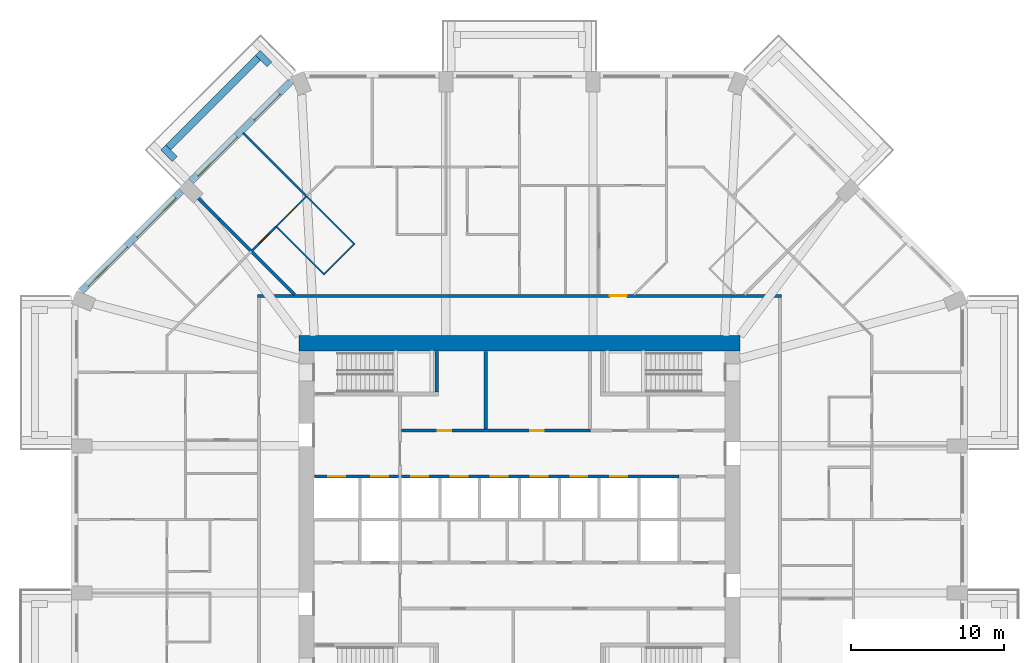
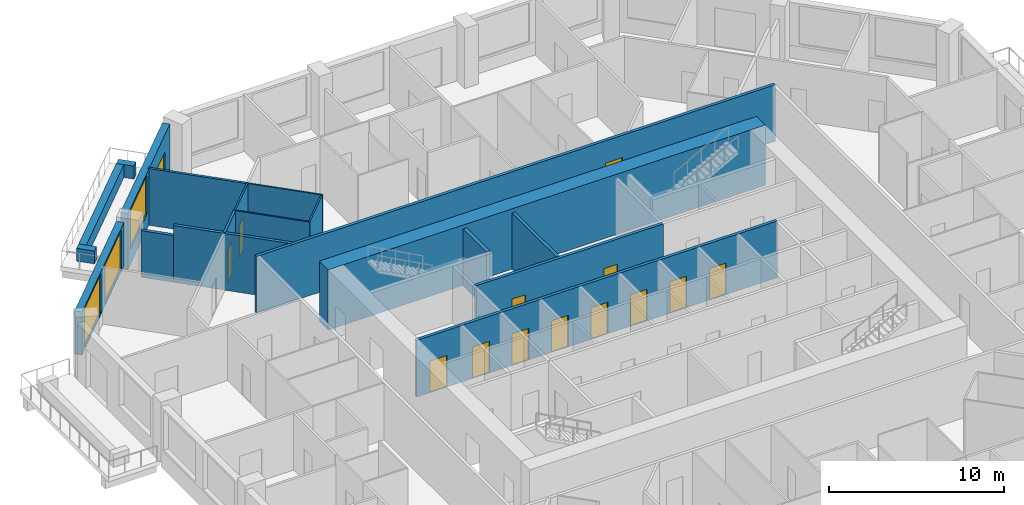
# One storey, part 8 of 13: 19 walls, 14 doors, 3 windows, 17 openings.
"""IFC4 building model written with IfcOpenShell, lengths in metres."""

from ifc_helpers import new_model, si_unit, direction, frame, frame_2d, origin, place, context, subcontext, project, spatial, rectangle, extrude, material, layer, layer_set, type_object, element, fill, save


model = new_model("IFC4")

# Units and contexts
model_context = context("Model", 3, precision=1e-05, world=origin(), true_north=direction((0.0, 1.0)))
body_context = subcontext(model_context, "Body", "Model", "MODEL_VIEW")
ifc_project = project(units=[si_unit("LENGTHUNIT", "METRE"), si_unit("AREAUNIT", "SQUARE_METRE"), si_unit("VOLUMEUNIT", "CUBIC_METRE"), si_unit("PLANEANGLEUNIT", "RADIAN"), si_unit("MASSUNIT", "GRAM", prefix="KILO")], contexts=[model_context])

# Site, building, storey
site_placement = place(None, origin())
site = spatial("IfcSite", under=ifc_project, at=site_placement, CompositionType="ELEMENT")
building_placement = place(site_placement, origin())
building = spatial("IfcBuilding", under=site, at=building_placement, Name="Msitu Wima Residences", CompositionType="ELEMENT")
storey_placement = place(building_placement, frame((0.0, 0.0, 25.5)))
storey = spatial("IfcBuildingStorey", under=building, at=storey_placement, Name="L05", CompositionType="ELEMENT", Elevation=25.5)

# Walls
ifc_material_1 = material(Name="Facing brick")
ifc_layer_1 = layer(ifc_material_1, 0.06494140625, Name="Facing brick")
ifc_material_2 = material(Name="Concrete C40/50", Category="concrete")
ifc_layer_2 = layer(ifc_material_2, 0.156005859375, Name="Concrete C40/50")
ifc_material_3 = material(Name="Waterproofing membrane")
ifc_layer_3 = layer(ifc_material_3, 0.00390625, Name="Waterproofing membrane")
ifc_material_4 = material(Name="Planting soil and planting")
ifc_layer_4 = layer(ifc_material_4, 0.22509765625, Name="Planting soil and planting")
ifc_layer_set_1 = layer_set([ifc_layer_1, ifc_layer_2, ifc_layer_3, ifc_layer_4], Name="Concrete C40/50")
wall_type_1 = type_object("IfcWallType", Name="Balcony planter PLANTER PL450", PredefinedType="USERDEFINED", material=ifc_layer_set_1)
wall_1_placement = place(storey_placement, frame((-17.0693359375, 30.125732421875, 0.0), z_axis=(0.0, 0.0, 1.0), x_axis=(-0.707106781187, -0.707106781187, 0.0)))
element("IfcWall", 1, at=wall_1_placement, inside=storey, type_object=wall_type_1, Name="Balcony planter NW0 L05", ObjectType="PLANTER", PredefinedType="USERDEFINED", context=body_context, shape_type="SweptSolid", body=[
    extrude(rectangle(XDim=8.2822265625, YDim=0.449951171875, at=frame_2d((4.14111328125, 0.0))), origin(), (0.0, 0.0, 1.0), 0.89990234375),
])
for number, where, z_axis, x_axis, name in (
    (2, (-16.326904296875, 29.70166015625, 0.0), (0.0, 0.0, 1.0), (-0.707106781187, 0.707106781187, 0.0), "Balcony planter NW0 L05"),
    (3, (-22.50146484375, 23.52685546875, 0.0), (0.0, 0.0, 1.0), (-0.707223014731, 0.706990528533, 0.0), "Balcony planter NW0 L05"),
):
    element("IfcWall", number, at=place(storey_placement, frame(where, z_axis=z_axis, x_axis=x_axis)), inside=storey, type_object=wall_type_1, Name=name, ObjectType="PLANTER", PredefinedType="USERDEFINED", context=body_context, shape_type="SweptSolid", body=[
        extrude(rectangle(XDim=1.050048828125, YDim=0.449951171875, at=frame_2d((0.52490234375, 0.0))), origin(), (0.0, 0.0, 1.0), 0.89990234375),
    ])

# Wall, openings, door, window
ifc_material_5 = material(Name="Brick (red buff mix)", Category="masonry")
ifc_layer_5 = layer(ifc_material_5, 0.449951171875)
ifc_layer_set_2 = layer_set([ifc_layer_5], Name="Brick (red buff mix)")
wall_type_2 = type_object("IfcWallType", Name="Brick infill wall BW450", PredefinedType="SOLIDWALL", material=ifc_layer_set_2)
wall_2_placement = place(storey_placement, frame((-14.903564453125, 28.61474609375, 0.0), z_axis=(0.0, 0.0, 1.0), x_axis=(-0.707106781187, -0.707106781187, 0.0)))
wall_2 = element("IfcWall", 4, at=wall_2_placement, inside=storey, type_object=wall_type_2, Name="Brick infill wall L05 NW0", PredefinedType="SOLIDWALL", context=body_context, shape_type="SweptSolid", body=[
    extrude(rectangle(XDim=9.2451171875, YDim=0.449951171875, at=frame_2d((4.62255859375, 0.0))), origin(), (0.0, 0.0, 1.0), 3.89990234375),
])
opening_1_placement = place(wall_2_placement, frame((1.111328125, 0.0, 0.0)))
opening_1 = element("IfcOpeningElement", 5, at=opening_1_placement, cuts=wall_2, Name="Opening D05-07.005", PredefinedType="OPENING", context=body_context, shape_type="SweptSolid", body=[
    extrude(rectangle(XDim=2.39990234375, YDim=2.699951171875, at=frame_2d((1.199951171875, 1.35009765625))), frame((0.0, 0.23486328125, 0.0), z_axis=(0.0, -1.0, 0.0), x_axis=(1.0, 0.0, 0.0)), (0.0, 0.0, 1.0), 0.469970703125),
])
opening_2_placement = place(wall_2_placement, frame((5.072509765625, 0.0, 1.050048828125)))
opening_2 = element("IfcOpeningElement", 6, at=opening_2_placement, cuts=wall_2, Name="Opening W05-07.013", PredefinedType="OPENING", context=body_context, shape_type="SweptSolid", body=[
    extrude(rectangle(XDim=3.60009765625, YDim=2.699951171875, at=frame_2d((1.800048828125, 1.35009765625))), frame((0.0, 0.23486328125, 0.0), z_axis=(0.0, -1.0, 0.0), x_axis=(1.0, 0.0, 0.0)), (0.0, 0.0, 1.0), 0.469970703125),
])
ifc_material_6 = material(Name="Anodised aluminium, bronze finish, clear low-emissivity double glazing", Category="aluminium")
door_type_1 = type_object("IfcDoorType", Name="Balcony door D2400x2700", OperationType="SLIDING_TO_LEFT", PredefinedType="DOOR", material=ifc_material_6)
door_1_placement = place(opening_1_placement, origin())
door_1 = element("IfcDoor", 7, at=door_1_placement, inside=storey, type_object=door_type_1, Name="Balcony door L05 NW0", OperationType="SINGLE_SWING_LEFT", OverallHeight=2.699951171875, OverallWidth=2.39990234375, PredefinedType="DOOR", context=body_context, shape_type="SweptSolid", body=[
    extrude(rectangle(XDim=2.39990234375, YDim=2.699951171875, at=frame_2d((1.199951171875, 1.35009765625))), frame((0.0, 0.1298828125, 0.0), z_axis=(0.0, -1.0, 0.0), x_axis=(1.0, 0.0, 0.0)), (0.0, 0.0, 1.0), 0.050048828125),
])
fill(opening_1, door_1)
window_type = type_object("IfcWindowType", Name="Window W3600x2700", PartitioningType="DOUBLE_PANEL_VERTICAL", PredefinedType="WINDOW", material=ifc_material_6)
window_1_placement = place(opening_2_placement, origin())
window_1 = element("IfcWindow", 8, at=window_1_placement, inside=storey, type_object=window_type, Name="Window L05 NW0.2", OverallHeight=2.699951171875, OverallWidth=3.60009765625, PartitioningType="SINGLE_PANEL", PredefinedType="WINDOW", context=body_context, shape_type="SweptSolid", body=[
    extrude(rectangle(XDim=3.60009765625, YDim=2.699951171875, at=frame_2d((1.800048828125, 1.35009765625))), frame((0.0, 0.135009765625, 0.0), z_axis=(0.0, -1.0, 0.0), x_axis=(1.0, 0.0, 0.0)), (0.0, 0.0, 1.0), 0.06005859375),
])
fill(opening_2, window_1)

# Wall, openings, windows
wall_3_placement = place(storey_placement, frame((-22.077392578125, 21.44091796875, 0.89990234375), z_axis=(0.0, 0.0, 1.0), x_axis=(-0.707106781187, -0.707106781187, 0.0)))
wall_3 = element("IfcWall", 9, at=wall_3_placement, inside=storey, type_object=wall_type_2, Name="Brick infill wall L05 NW1", PredefinedType="SOLIDWALL", context=body_context, shape_type="SweptSolid", body=[
    extrude(rectangle(XDim=9.2451171875, YDim=0.449951171875, at=frame_2d((4.62255859375, 0.0))), origin(), (0.0, 0.0, 1.0), 3.0),
])
opening_3_placement = place(wall_3_placement, frame((0.572509765625, 0.0, 0.14990234375)))
opening_3 = element("IfcOpeningElement", 10, at=opening_3_placement, cuts=wall_3, Name="Opening W05-07.014", PredefinedType="OPENING", context=body_context, shape_type="SweptSolid", body=[
    extrude(rectangle(XDim=3.60009765625, YDim=2.699951171875, at=frame_2d((1.800048828125, 1.35009765625))), frame((0.0, 0.23486328125, 0.0), z_axis=(0.0, -1.0, 0.0), x_axis=(1.0, 0.0, 0.0)), (0.0, 0.0, 1.0), 0.469970703125),
])
opening_4_placement = place(wall_3_placement, frame((5.072509765625, 0.0, 0.14990234375)))
opening_4 = element("IfcOpeningElement", 11, at=opening_4_placement, cuts=wall_3, Name="Opening W05-07.015", PredefinedType="OPENING", context=body_context, shape_type="SweptSolid", body=[
    extrude(rectangle(XDim=3.60009765625, YDim=2.699951171875, at=frame_2d((1.800048828125, 1.35009765625))), frame((0.0, 0.23486328125, 0.0), z_axis=(0.0, -1.0, 0.0), x_axis=(1.0, 0.0, 0.0)), (0.0, 0.0, 1.0), 0.469970703125),
])
window_2_placement = place(opening_3_placement, origin())
window_2 = element("IfcWindow", 12, at=window_2_placement, inside=storey, type_object=window_type, Name="Window L05 NW1.1", OverallHeight=2.699951171875, OverallWidth=3.60009765625, PartitioningType="SINGLE_PANEL", PredefinedType="WINDOW", context=body_context, shape_type="SweptSolid", body=[
    extrude(rectangle(XDim=3.60009765625, YDim=2.699951171875, at=frame_2d((1.800048828125, 1.35009765625))), frame((0.0, 0.135009765625, 0.0), z_axis=(0.0, -1.0, 0.0), x_axis=(1.0, 0.0, 0.0)), (0.0, 0.0, 1.0), 0.06005859375),
])
fill(opening_3, window_2)
window_3_placement = place(opening_4_placement, origin())
window_3 = element("IfcWindow", 13, at=window_3_placement, inside=storey, type_object=window_type, Name="Window L05 NW1.2", OverallHeight=2.699951171875, OverallWidth=3.60009765625, PartitioningType="SINGLE_PANEL", PredefinedType="WINDOW", context=body_context, shape_type="SweptSolid", body=[
    extrude(rectangle(XDim=3.60009765625, YDim=2.699951171875, at=frame_2d((1.800048828125, 1.35009765625))), frame((0.0, 0.135009765625, 0.0), z_axis=(0.0, -1.0, 0.0), x_axis=(1.0, 0.0, 0.0)), (0.0, 0.0, 1.0), 0.06005859375),
])
fill(opening_4, window_3)

# Wall
ifc_material_7 = material(Name="Concrete C80/95", Category="concrete")
ifc_layer_6 = layer(ifc_material_7, 1.0)
ifc_layer_set_3 = layer_set([ifc_layer_6], Name="Concrete C80/95")
wall_type_3 = type_object("IfcWallType", Name="Core wall CW1000 C80/95", PredefinedType="SHEAR", material=ifc_layer_set_3)
wall_4_placement = place(storey_placement, frame((-14.39990234375, 11.5, 0.0), z_axis=(0.0, 0.0, 1.0), x_axis=(1.0, 0.0, 0.0)))
element("IfcWall", 14, at=wall_4_placement, inside=storey, type_object=wall_type_3, Name="Core wall", PredefinedType="SHEAR", context=body_context, shape_type="SweptSolid", body=[
    extrude(rectangle(XDim=28.7998046875, YDim=1.0, at=frame_2d((14.39990234375, 0.0))), origin(), (0.0, 0.0, 1.0), 4.199951171875),
])

# Wall, opening, door
ifc_material_8 = material(Name="Plaster")
ifc_layer_7 = layer(ifc_material_8, 0.011962890625, Name="Plaster")
ifc_material_9 = material(Name="Concrete blockwork", Category="masonry")
ifc_layer_8 = layer(ifc_material_9, 0.176025390625, Name="Concrete blockwork")
ifc_layer_9 = layer(ifc_material_8, 0.011962890625, Name="Plaster")
ifc_layer_set_4 = layer_set([ifc_layer_7, ifc_layer_8, ifc_layer_9], Name="Concrete blockwork")
wall_type_4 = type_object("IfcWallType", Name="Corridor wall FW200", PredefinedType="PARTITIONING", material=ifc_layer_set_4)
wall_5_placement = place(storey_placement, frame((-17.10009765625, 14.60009765625, 0.0), z_axis=(0.0, 0.0, 1.0), x_axis=(1.0, 0.0, 0.0)))
wall_5 = element("IfcWall", 15, at=wall_5_placement, inside=storey, type_object=wall_type_4, Name="Corridor wall", PredefinedType="PARTITIONING", context=body_context, shape_type="SweptSolid", body=[
    extrude(rectangle(XDim=34.2001953125, YDim=0.199951171875, at=frame_2d((17.10009765625, 0.0))), origin(), (0.0, 0.0, 1.0), 3.949951171875),
])
opening_5_placement = place(wall_5_placement, frame((23.0, 0.0, 0.0)))
opening_5 = element("IfcOpeningElement", 16, at=opening_5_placement, cuts=wall_5, Name="Opening D05-07.012", PredefinedType="OPENING", context=body_context, shape_type="SweptSolid", body=[
    extrude(rectangle(XDim=1.10009765625, YDim=2.39990234375, at=frame_2d((0.550048828125, 1.199951171875))), frame((0.0, 0.10986328125, 0.0), z_axis=(0.0, -1.0, 0.0), x_axis=(1.0, 0.0, 0.0)), (0.0, 0.0, 1.0), 0.219970703125),
])
ifc_material_10 = material(Name="Timber flush door, fire resisting, self-closing", Category="wood")
door_type_2 = type_object("IfcDoorType", Name="Flat entrance door D01 1100x2400", OperationType="SINGLE_SWING_LEFT", PredefinedType="DOOR", material=ifc_material_10)
door_2_placement = place(opening_5_placement, origin())
door_2 = element("IfcDoor", 17, at=door_2_placement, inside=storey, type_object=door_type_2, Name="Flat entrance door", OperationType="SINGLE_SWING_RIGHT", OverallHeight=2.39990234375, OverallWidth=1.10009765625, PredefinedType="DOOR", context=body_context, shape_type="SweptSolid", body=[
    extrude(rectangle(XDim=1.10009765625, YDim=2.39990234375, at=frame_2d((0.550048828125, 1.199951171875))), frame((0.0, 0.02490234375, 0.0), z_axis=(0.0, -1.0, 0.0), x_axis=(1.0, 0.0, 0.0)), (0.0, 0.0, 1.0), 0.050048828125),
])
fill(opening_5, door_2)

# Wall
ifc_layer_10 = layer(ifc_material_8, 0.011962890625, Name="Plaster")
ifc_layer_11 = layer(ifc_material_9, 0.1259765625, Name="Concrete blockwork")
ifc_layer_12 = layer(ifc_material_8, 0.011962890625, Name="Plaster")
ifc_layer_set_5 = layer_set([ifc_layer_10, ifc_layer_11, ifc_layer_12], Name="Concrete blockwork")
wall_type_5 = type_object("IfcWallType", Name="Partition PW150", PredefinedType="PARTITIONING", material=ifc_layer_set_5)
wall_6_placement = place(storey_placement, frame((-18.038818359375, 25.23876953125, 0.0), z_axis=(0.0, 0.0, 1.0), x_axis=(0.707127559195, -0.707086002568, 0.0)))
element("IfcWall", 18, at=wall_6_placement, inside=storey, type_object=wall_type_5, Name="Partition", PredefinedType="PARTITIONING", context=body_context, shape_type="SweptSolid", body=[
    extrude(rectangle(XDim=5.875, YDim=0.14990234375, at=frame_2d((2.9375, 0.0))), origin(), (0.0, 0.0, 1.0), 3.949951171875),
])

# Wall, opening, door
wall_7_placement = place(storey_placement, frame((-17.498779296875, 17.498779296875, 0.0), z_axis=(0.0, 0.0, 1.0), x_axis=(0.707106781187, 0.707106781187, 0.0)))
wall_7 = element("IfcWall", 19, at=wall_7_placement, inside=storey, type_object=wall_type_5, Name="Partition", PredefinedType="PARTITIONING", context=body_context, shape_type="SweptSolid", body=[
    extrude(rectangle(XDim=2.271240234375, YDim=0.14990234375, at=frame_2d((1.1357421875, 0.0))), origin(), (0.0, 0.0, 1.0), 3.949951171875),
])
opening_6_placement = place(wall_7_placement, frame((0.699951171875, 0.0, 0.0)))
opening_6 = element("IfcOpeningElement", 20, at=opening_6_placement, cuts=wall_7, Name="Opening D05-07.057", PredefinedType="OPENING", context=body_context, shape_type="SweptSolid", body=[
    extrude(rectangle(XDim=0.949951171875, YDim=2.199951171875, at=frame_2d((0.47509765625, 1.10009765625))), frame((0.0, 0.0849609375, 0.0), z_axis=(0.0, -1.0, 0.0), x_axis=(1.0, 0.0, 0.0)), (0.0, 0.0, 1.0), 0.169921875),
])
ifc_material_11 = material(Name="Timber flush door", Category="wood")
door_type_3 = type_object("IfcDoorType", Name="Room door D12 950x2200", OperationType="SINGLE_SWING_LEFT", PredefinedType="DOOR", material=ifc_material_11)
door_3_placement = place(opening_6_placement, origin())
door_3 = element("IfcDoor", 21, at=door_3_placement, inside=storey, type_object=door_type_3, Name="Room door", OperationType="SINGLE_SWING_LEFT", OverallHeight=2.199951171875, OverallWidth=0.949951171875, PredefinedType="DOOR", context=body_context, shape_type="SweptSolid", body=[
    extrude(rectangle(XDim=0.949951171875, YDim=2.199951171875, at=frame_2d((0.47509765625, 1.10009765625))), frame((0.0, 0.02490234375, 0.0), z_axis=(0.0, -1.0, 0.0), x_axis=(1.0, 0.0, 0.0)), (0.0, 0.0, 1.0), 0.050048828125),
])
fill(opening_6, door_3)

# Walls
ifc_layer_13 = layer(ifc_material_8, 0.011962890625, Name="Plaster")
ifc_material_12 = material(Name="Dense concrete blockwork", Category="masonry")
ifc_layer_14 = layer(ifc_material_12, 0.176025390625, Name="Dense concrete blockwork")
ifc_layer_15 = layer(ifc_material_8, 0.011962890625, Name="Plaster")
ifc_layer_set_6 = layer_set([ifc_layer_13, ifc_layer_14, ifc_layer_15], Name="Dense concrete blockwork")
wall_type_6 = type_object("IfcWallType", Name="Party wall PW200", PredefinedType="PARTITIONING", material=ifc_layer_set_6)
wall_8_placement = place(storey_placement, frame((-20.963623046875, 20.963623046875, 0.0), z_axis=(0.0, 0.0, 1.0), x_axis=(0.707106781187, -0.707106781187, 0.0)))
element("IfcWall", 22, at=wall_8_placement, inside=storey, type_object=wall_type_6, Name="Party wall", PredefinedType="PARTITIONING", context=body_context, shape_type="SweptSolid", body=[
    extrude(rectangle(XDim=1.92041015625, YDim=0.199951171875, at=frame_2d((0.960205078125, 0.0))), origin(), (0.0, 0.0, 1.0), 3.25),
])
wall_9_placement = place(storey_placement, frame((-19.605712890625, 19.605712890625, 0.0), z_axis=(0.0, 0.0, 1.0), x_axis=(0.707106781187, -0.707106781187, 0.0)))
element("IfcWall", 23, at=wall_9_placement, inside=storey, type_object=wall_type_6, Name="Party wall", PredefinedType="PARTITIONING", context=body_context, shape_type="SweptSolid", body=[
    extrude(rectangle(XDim=6.979248046875, YDim=0.199951171875, at=frame_2d((3.48974609375, 0.0))), origin(), (0.0, 0.0, 1.0), 3.949951171875),
])

# Wall, openings, doors
ifc_layer_16 = layer(ifc_material_8, 0.011962890625, Name="Plaster")
ifc_material_13 = material(Name="Reinforced concrete blockwork", Category="masonry")
ifc_layer_17 = layer(ifc_material_13, 0.176025390625, Name="Reinforced concrete blockwork")
ifc_layer_18 = layer(ifc_material_8, 0.011962890625, Name="Plaster")
ifc_layer_set_7 = layer_set([ifc_layer_16, ifc_layer_17, ifc_layer_18], Name="Reinforced concrete blockwork")
wall_type_7 = type_object("IfcWallType", Name="Plant and riser wall PL200", PredefinedType="PARTITIONING", material=ifc_layer_set_7)
wall_10_placement = place(storey_placement, frame((-7.699951171875, 5.800048828125, 0.0), z_axis=(0.0, 0.0, 1.0), x_axis=(1.0, 0.0, 0.0)))
wall_10 = element("IfcWall", 24, at=wall_10_placement, inside=storey, type_object=wall_type_7, Name="Plant and riser wall", PredefinedType="PARTITIONING", context=body_context, shape_type="SweptSolid", body=[
    extrude(rectangle(XDim=12.320068359375, YDim=0.199951171875, at=frame_2d((6.16015625, 0.0))), origin(), (0.0, 0.0, 1.0), 3.949951171875),
])
opening_7_placement = place(wall_10_placement, frame((2.35009765625, 0.0, 0.0)))
opening_7 = element("IfcOpeningElement", 25, at=opening_7_placement, cuts=wall_10, Name="Opening D05-07.020", PredefinedType="OPENING", context=body_context, shape_type="SweptSolid", body=[
    extrude(rectangle(XDim=0.89990234375, YDim=2.199951171875, at=frame_2d((0.449951171875, 1.10009765625))), frame((0.0, 0.10986328125, 0.0), z_axis=(0.0, -1.0, 0.0), x_axis=(1.0, 0.0, 0.0)), (0.0, 0.0, 1.0), 0.219970703125),
])
opening_8_placement = place(wall_10_placement, frame((8.39990234375, 0.0, 0.0)))
opening_8 = element("IfcOpeningElement", 26, at=opening_8_placement, cuts=wall_10, Name="Opening D05-07.021", PredefinedType="OPENING", context=body_context, shape_type="SweptSolid", body=[
    extrude(rectangle(XDim=0.89990234375, YDim=2.199951171875, at=frame_2d((0.449951171875, 1.10009765625))), frame((0.0, 0.10986328125, 0.0), z_axis=(0.0, -1.0, 0.0), x_axis=(1.0, 0.0, 0.0)), (0.0, 0.0, 1.0), 0.219970703125),
])
door_type_4 = type_object("IfcDoorType", Name="Service door D05 900x2200", OperationType="SINGLE_SWING_LEFT", PredefinedType="DOOR", material=ifc_material_11)
door_4_placement = place(opening_7_placement, origin())
door_4 = element("IfcDoor", 27, at=door_4_placement, inside=storey, type_object=door_type_4, Name="Service door", OperationType="SINGLE_SWING_RIGHT", OverallHeight=2.199951171875, OverallWidth=0.89990234375, PredefinedType="DOOR", context=body_context, shape_type="SweptSolid", body=[
    extrude(rectangle(XDim=0.89990234375, YDim=2.199951171875, at=frame_2d((0.449951171875, 1.10009765625))), frame((0.0, 0.02490234375, 0.0), z_axis=(0.0, -1.0, 0.0), x_axis=(1.0, 0.0, 0.0)), (0.0, 0.0, 1.0), 0.050048828125),
])
fill(opening_7, door_4)
door_5_placement = place(opening_8_placement, origin())
door_5 = element("IfcDoor", 28, at=door_5_placement, inside=storey, type_object=door_type_4, Name="Service door", OperationType="SINGLE_SWING_LEFT", OverallHeight=2.199951171875, OverallWidth=0.89990234375, PredefinedType="DOOR", context=body_context, shape_type="SweptSolid", body=[
    extrude(rectangle(XDim=0.89990234375, YDim=2.199951171875, at=frame_2d((0.449951171875, 1.10009765625))), frame((0.0, 0.02490234375, 0.0), z_axis=(0.0, -1.0, 0.0), x_axis=(1.0, 0.0, 0.0)), (0.0, 0.0, 1.0), 0.050048828125),
])
fill(opening_8, door_5)

# Wall
wall_11_placement = place(storey_placement, frame((-2.199951171875, 5.89990234375, 0.0), z_axis=(0.0, 0.0, 1.0), x_axis=(0.0, 1.0, 0.0)))
element("IfcWall", 29, at=wall_11_placement, inside=storey, type_object=wall_type_7, Name="Plant and riser wall", PredefinedType="PARTITIONING", context=body_context, shape_type="SweptSolid", body=[
    extrude(rectangle(XDim=5.070068359375, YDim=0.199951171875, at=frame_2d((2.53515625, 0.0))), origin(), (0.0, 0.0, 1.0), 3.949951171875),
])

# Wall, openings, doors
ifc_material_14 = material(Name="Fire-rated board")
ifc_layer_19 = layer(ifc_material_14, 0.02490234375, Name="Fire-rated board")
ifc_material_15 = material(Name="Light-gauge stud framing with mineral wool")
ifc_layer_20 = layer(ifc_material_15, 0.14990234375, Name="Light-gauge stud framing with mineral wool")
ifc_layer_21 = layer(ifc_material_14, 0.02490234375, Name="Fire-rated board")
ifc_layer_set_8 = layer_set([ifc_layer_19, ifc_layer_20, ifc_layer_21], Name="Light-gauge stud framing with mineral wool")
wall_type_8 = type_object("IfcWallType", Name="Shaft wall SH200", PredefinedType="PARTITIONING", material=ifc_layer_set_8)
wall_12_placement = place(storey_placement, frame((-13.3701171875, 2.800048828125, 0.0), z_axis=(0.0, 0.0, 1.0), x_axis=(1.0, 0.0, 0.0)))
wall_12 = element("IfcWall", 30, at=wall_12_placement, inside=storey, type_object=wall_type_8, Name="Shaft wall", PredefinedType="PARTITIONING", context=body_context, shape_type="SweptSolid", body=[
    extrude(rectangle(XDim=23.77001953125, YDim=0.199951171875, at=frame_2d((11.885009765625, 0.0))), origin(), (0.0, 0.0, 1.0), 3.949951171875),
])
opening_9_placement = place(wall_12_placement, frame((0.89990234375, 0.0, 0.0)))
opening_9 = element("IfcOpeningElement", 31, at=opening_9_placement, cuts=wall_12, Name="Opening LD", PredefinedType="OPENING", context=body_context, shape_type="SweptSolid", body=[
    extrude(rectangle(XDim=1.10009765625, YDim=2.199951171875, at=frame_2d((0.550048828125, 1.10009765625))), frame((0.0, 0.10986328125, 0.0), z_axis=(0.0, -1.0, 0.0), x_axis=(1.0, 0.0, 0.0)), (0.0, 0.0, 1.0), 0.219970703125),
])
opening_10_placement = place(wall_12_placement, frame((3.699951171875, 0.0, 0.0)))
opening_10 = element("IfcOpeningElement", 32, at=opening_10_placement, cuts=wall_12, Name="Opening LD", PredefinedType="OPENING", context=body_context, shape_type="SweptSolid", body=[
    extrude(rectangle(XDim=1.10009765625, YDim=2.199951171875, at=frame_2d((0.550048828125, 1.10009765625))), frame((0.0, 0.10986328125, 0.0), z_axis=(0.0, -1.0, 0.0), x_axis=(1.0, 0.0, 0.0)), (0.0, 0.0, 1.0), 0.219970703125),
])
opening_11_placement = place(wall_12_placement, frame((6.300048828125, 0.0, 0.0)))
opening_11 = element("IfcOpeningElement", 33, at=opening_11_placement, cuts=wall_12, Name="Opening LD", PredefinedType="OPENING", context=body_context, shape_type="SweptSolid", body=[
    extrude(rectangle(XDim=1.10009765625, YDim=2.199951171875, at=frame_2d((0.550048828125, 1.10009765625))), frame((0.0, 0.10986328125, 0.0), z_axis=(0.0, -1.0, 0.0), x_axis=(1.0, 0.0, 0.0)), (0.0, 0.0, 1.0), 0.219970703125),
])
opening_12_placement = place(wall_12_placement, frame((8.89990234375, 0.0, 0.0)))
opening_12 = element("IfcOpeningElement", 34, at=opening_12_placement, cuts=wall_12, Name="Opening LD", PredefinedType="OPENING", context=body_context, shape_type="SweptSolid", body=[
    extrude(rectangle(XDim=1.10009765625, YDim=2.199951171875, at=frame_2d((0.550048828125, 1.10009765625))), frame((0.0, 0.10986328125, 0.0), z_axis=(0.0, -1.0, 0.0), x_axis=(1.0, 0.0, 0.0)), (0.0, 0.0, 1.0), 0.219970703125),
])
opening_13_placement = place(wall_12_placement, frame((11.5, 0.0, 0.0)))
opening_13 = element("IfcOpeningElement", 35, at=opening_13_placement, cuts=wall_12, Name="Opening LD", PredefinedType="OPENING", context=body_context, shape_type="SweptSolid", body=[
    extrude(rectangle(XDim=1.10009765625, YDim=2.199951171875, at=frame_2d((0.550048828125, 1.10009765625))), frame((0.0, 0.10986328125, 0.0), z_axis=(0.0, -1.0, 0.0), x_axis=(1.0, 0.0, 0.0)), (0.0, 0.0, 1.0), 0.219970703125),
])
opening_14_placement = place(wall_12_placement, frame((14.10009765625, 0.0, 0.0)))
opening_14 = element("IfcOpeningElement", 36, at=opening_14_placement, cuts=wall_12, Name="Opening LD", PredefinedType="OPENING", context=body_context, shape_type="SweptSolid", body=[
    extrude(rectangle(XDim=1.10009765625, YDim=2.199951171875, at=frame_2d((0.550048828125, 1.10009765625))), frame((0.0, 0.10986328125, 0.0), z_axis=(0.0, -1.0, 0.0), x_axis=(1.0, 0.0, 0.0)), (0.0, 0.0, 1.0), 0.219970703125),
])
opening_15_placement = place(wall_12_placement, frame((16.699951171875, 0.0, 0.0)))
opening_15 = element("IfcOpeningElement", 37, at=opening_15_placement, cuts=wall_12, Name="Opening LD", PredefinedType="OPENING", context=body_context, shape_type="SweptSolid", body=[
    extrude(rectangle(XDim=1.10009765625, YDim=2.199951171875, at=frame_2d((0.550048828125, 1.10009765625))), frame((0.0, 0.10986328125, 0.0), z_axis=(0.0, -1.0, 0.0), x_axis=(1.0, 0.0, 0.0)), (0.0, 0.0, 1.0), 0.219970703125),
])
opening_16_placement = place(wall_12_placement, frame((19.300048828125, 0.0, 0.0)))
opening_16 = element("IfcOpeningElement", 38, at=opening_16_placement, cuts=wall_12, Name="Opening LD", PredefinedType="OPENING", context=body_context, shape_type="SweptSolid", body=[
    extrude(rectangle(XDim=1.10009765625, YDim=2.199951171875, at=frame_2d((0.550048828125, 1.10009765625))), frame((0.0, 0.10986328125, 0.0), z_axis=(0.0, -1.0, 0.0), x_axis=(1.0, 0.0, 0.0)), (0.0, 0.0, 1.0), 0.219970703125),
])
ifc_material_16 = material(Name="Stainless steel centre-opening landing door, rated", Category="steel")
door_type_5 = type_object("IfcDoorType", Name="Lift landing door LD 1100x2200", OperationType="DOUBLE_DOOR_SLIDING", PredefinedType="DOOR", material=ifc_material_16)
door_6_placement = place(opening_9_placement, origin())
door_6 = element("IfcDoor", 39, at=door_6_placement, inside=storey, type_object=door_type_5, Name="Lift landing door LD1", OperationType="DOUBLE_DOOR_SLIDING", OverallHeight=2.199951171875, OverallWidth=1.10009765625, PredefinedType="DOOR", context=body_context, shape_type="SweptSolid", body=[
    extrude(rectangle(XDim=1.10009765625, YDim=2.199951171875, at=frame_2d((0.550048828125, 1.10009765625))), frame((0.0, 0.02490234375, 0.0), z_axis=(0.0, -1.0, 0.0), x_axis=(1.0, 0.0, 0.0)), (0.0, 0.0, 1.0), 0.050048828125),
])
fill(opening_9, door_6)
door_7_placement = place(opening_10_placement, origin())
door_7 = element("IfcDoor", 40, at=door_7_placement, inside=storey, type_object=door_type_5, Name="Lift landing door LD2", OperationType="DOUBLE_DOOR_SLIDING", OverallHeight=2.199951171875, OverallWidth=1.10009765625, PredefinedType="DOOR", context=body_context, shape_type="SweptSolid", body=[
    extrude(rectangle(XDim=1.10009765625, YDim=2.199951171875, at=frame_2d((0.550048828125, 1.10009765625))), frame((0.0, 0.02490234375, 0.0), z_axis=(0.0, -1.0, 0.0), x_axis=(1.0, 0.0, 0.0)), (0.0, 0.0, 1.0), 0.050048828125),
])
fill(opening_10, door_7)
door_8_placement = place(opening_11_placement, origin())
door_8 = element("IfcDoor", 41, at=door_8_placement, inside=storey, type_object=door_type_5, Name="Lift landing door LD4", OperationType="DOUBLE_DOOR_SLIDING", OverallHeight=2.199951171875, OverallWidth=1.10009765625, PredefinedType="DOOR", context=body_context, shape_type="SweptSolid", body=[
    extrude(rectangle(XDim=1.10009765625, YDim=2.199951171875, at=frame_2d((0.550048828125, 1.10009765625))), frame((0.0, 0.02490234375, 0.0), z_axis=(0.0, -1.0, 0.0), x_axis=(1.0, 0.0, 0.0)), (0.0, 0.0, 1.0), 0.050048828125),
])
fill(opening_11, door_8)
door_9_placement = place(opening_12_placement, origin())
door_9 = element("IfcDoor", 42, at=door_9_placement, inside=storey, type_object=door_type_5, Name="Lift landing door LD6", OperationType="DOUBLE_DOOR_SLIDING", OverallHeight=2.199951171875, OverallWidth=1.10009765625, PredefinedType="DOOR", context=body_context, shape_type="SweptSolid", body=[
    extrude(rectangle(XDim=1.10009765625, YDim=2.199951171875, at=frame_2d((0.550048828125, 1.10009765625))), frame((0.0, 0.02490234375, 0.0), z_axis=(0.0, -1.0, 0.0), x_axis=(1.0, 0.0, 0.0)), (0.0, 0.0, 1.0), 0.050048828125),
])
fill(opening_12, door_9)
door_10_placement = place(opening_13_placement, origin())
door_10 = element("IfcDoor", 43, at=door_10_placement, inside=storey, type_object=door_type_5, Name="Lift landing door LD8", OperationType="DOUBLE_DOOR_SLIDING", OverallHeight=2.199951171875, OverallWidth=1.10009765625, PredefinedType="DOOR", context=body_context, shape_type="SweptSolid", body=[
    extrude(rectangle(XDim=1.10009765625, YDim=2.199951171875, at=frame_2d((0.550048828125, 1.10009765625))), frame((0.0, 0.02490234375, 0.0), z_axis=(0.0, -1.0, 0.0), x_axis=(1.0, 0.0, 0.0)), (0.0, 0.0, 1.0), 0.050048828125),
])
fill(opening_13, door_10)
door_11_placement = place(opening_14_placement, origin())
door_11 = element("IfcDoor", 44, at=door_11_placement, inside=storey, type_object=door_type_5, Name="Lift landing door LD10", OperationType="DOUBLE_DOOR_SLIDING", OverallHeight=2.199951171875, OverallWidth=1.10009765625, PredefinedType="DOOR", context=body_context, shape_type="SweptSolid", body=[
    extrude(rectangle(XDim=1.10009765625, YDim=2.199951171875, at=frame_2d((0.550048828125, 1.10009765625))), frame((0.0, 0.02490234375, 0.0), z_axis=(0.0, -1.0, 0.0), x_axis=(1.0, 0.0, 0.0)), (0.0, 0.0, 1.0), 0.050048828125),
])
fill(opening_14, door_11)
door_12_placement = place(opening_15_placement, origin())
door_12 = element("IfcDoor", 45, at=door_12_placement, inside=storey, type_object=door_type_5, Name="Lift landing door LD12", OperationType="DOUBLE_DOOR_SLIDING", OverallHeight=2.199951171875, OverallWidth=1.10009765625, PredefinedType="DOOR", context=body_context, shape_type="SweptSolid", body=[
    extrude(rectangle(XDim=1.10009765625, YDim=2.199951171875, at=frame_2d((0.550048828125, 1.10009765625))), frame((0.0, 0.02490234375, 0.0), z_axis=(0.0, -1.0, 0.0), x_axis=(1.0, 0.0, 0.0)), (0.0, 0.0, 1.0), 0.050048828125),
])
fill(opening_15, door_12)
door_13_placement = place(opening_16_placement, origin())
door_13 = element("IfcDoor", 46, at=door_13_placement, inside=storey, type_object=door_type_5, Name="Lift landing door LD14", OperationType="DOUBLE_DOOR_SLIDING", OverallHeight=2.199951171875, OverallWidth=1.10009765625, PredefinedType="DOOR", context=body_context, shape_type="SweptSolid", body=[
    extrude(rectangle(XDim=1.10009765625, YDim=2.199951171875, at=frame_2d((0.550048828125, 1.10009765625))), frame((0.0, 0.02490234375, 0.0), z_axis=(0.0, -1.0, 0.0), x_axis=(1.0, 0.0, 0.0)), (0.0, 0.0, 1.0), 0.050048828125),
])
fill(opening_16, door_13)

# Wall
ifc_material_17 = material(Name="Concrete C50/60", Category="concrete")
ifc_layer_22 = layer(ifc_material_17, 0.25)
ifc_layer_set_9 = layer_set([ifc_layer_22], Name="Concrete C50/60")
wall_type_9 = type_object("IfcWallType", Name="Stair enclosure wall SW250", PredefinedType="SHEAR", material=ifc_layer_set_9)
wall_13_placement = place(storey_placement, frame((-5.39990234375, 8.324951171875, 0.0), z_axis=(0.0, 0.0, 1.0), x_axis=(0.0, 1.0, 0.0)))
element("IfcWall", 47, at=wall_13_placement, inside=storey, type_object=wall_type_9, Name="Stair enclosure wall", PredefinedType="SHEAR", context=body_context, shape_type="SweptSolid", body=[
    extrude(rectangle(XDim=2.64501953125, YDim=0.25, at=frame_2d((1.322509765625, 0.0))), origin(), (0.0, 0.0, 1.0), 3.949951171875),
])

# Wall, opening, door
ifc_material_18 = material(Name="Ceramic tiles")
ifc_layer_23 = layer(ifc_material_18, 0.008056640625, Name="Ceramic tiles")
ifc_material_19 = material(Name="Moisture-resistant board")
ifc_layer_24 = layer(ifc_material_19, 0.012451171875, Name="Moisture-resistant board")
ifc_layer_25 = layer(ifc_material_15, 0.06689453125, Name="Light-gauge stud framing with mineral wool")
ifc_layer_26 = layer(ifc_material_19, 0.012451171875, Name="Moisture-resistant board")
ifc_layer_set_10 = layer_set([ifc_layer_23, ifc_layer_24, ifc_layer_25, ifc_layer_26], Name="Light-gauge stud framing with mineral wool")
wall_type_10 = type_object("IfcWallType", Name="Wet wall PW100", PredefinedType="PARTITIONING", material=ifc_layer_set_10)
wall_14_placement = place(storey_placement, frame((-15.892822265625, 19.104736328125, 0.0), z_axis=(0.0, 0.0, 1.0), x_axis=(0.707106781187, 0.707106781187, 0.0)))
wall_14 = element("IfcWall", 48, at=wall_14_placement, inside=storey, type_object=wall_type_10, Name="Wet wall", PredefinedType="PARTITIONING", context=body_context, shape_type="SweptSolid", body=[
    extrude(rectangle(XDim=2.840087890625, YDim=0.10009765625, at=frame_2d((1.419921875, 0.0))), origin(), (0.0, 0.0, 1.0), 3.949951171875),
])
opening_17_placement = place(wall_14_placement, frame((0.949951171875, 0.0, 0.0)))
opening_17 = element("IfcOpeningElement", 49, at=opening_17_placement, cuts=wall_14, Name="Opening D05-07.058", PredefinedType="OPENING", context=body_context, shape_type="SweptSolid", body=[
    extrude(rectangle(XDim=0.89990234375, YDim=2.199951171875, at=frame_2d((0.449951171875, 1.10009765625))), frame((0.0, 0.06005859375, 0.0), z_axis=(0.0, -1.0, 0.0), x_axis=(1.0, 0.0, 0.0)), (0.0, 0.0, 1.0), 0.1201171875),
])
ifc_material_20 = material(Name="Timber flush door, moisture resistant", Category="wood")
door_type_6 = type_object("IfcDoorType", Name="Bathroom door D03 900x2200", OperationType="SINGLE_SWING_LEFT", PredefinedType="DOOR", material=ifc_material_20)
door_14_placement = place(opening_17_placement, origin())
door_14 = element("IfcDoor", 50, at=door_14_placement, inside=storey, type_object=door_type_6, Name="Bathroom door", OperationType="SINGLE_SWING_RIGHT", OverallHeight=2.199951171875, OverallWidth=0.89990234375, PredefinedType="DOOR", context=body_context, shape_type="SweptSolid", body=[
    extrude(rectangle(XDim=0.89990234375, YDim=2.199951171875, at=frame_2d((0.449951171875, 1.10009765625))), frame((0.0, 0.02490234375, 0.0), z_axis=(0.0, -1.0, 0.0), x_axis=(1.0, 0.0, 0.0)), (0.0, 0.0, 1.0), 0.050048828125),
])
fill(opening_17, door_14)

# Walls
wall_15_placement = place(storey_placement, frame((-15.84326171875, 19.08349609375, 0.0), z_axis=(0.0, 0.0, 1.0), x_axis=(0.707106781187, -0.707106781187, 0.0)))
element("IfcWall", 51, at=wall_15_placement, inside=storey, type_object=wall_type_10, Name="Wet wall", PredefinedType="PARTITIONING", context=body_context, shape_type="SweptSolid", body=[
    extrude(rectangle(XDim=4.400146484375, YDim=0.10009765625, at=frame_2d((2.2001953125, 0.0))), origin(), (0.0, 0.0, 1.0), 3.949951171875),
])
wall_16_placement = place(storey_placement, frame((-13.884521484375, 21.084716796875, 0.0), z_axis=(0.0, 0.0, 1.0), x_axis=(0.707079224951, -0.707134336348, 0.0)))
element("IfcWall", 52, at=wall_16_placement, inside=storey, type_object=wall_type_10, Name="Wet wall", PredefinedType="PARTITIONING", context=body_context, shape_type="SweptSolid", body=[
    extrude(rectangle(XDim=4.429931640625, YDim=0.10009765625, at=frame_2d((2.21484375, 0.0))), origin(), (0.0, 0.0, 1.0), 3.949951171875),
])
wall_17_placement = place(storey_placement, frame((-12.73193359375, 16.04296875, 0.0), z_axis=(0.0, 0.0, 1.0), x_axis=(0.707106781187, 0.707106781187, 0.0)))
element("IfcWall", 53, at=wall_17_placement, inside=storey, type_object=wall_type_10, Name="Wet wall", PredefinedType="PARTITIONING", context=body_context, shape_type="SweptSolid", body=[
    extrude(rectangle(XDim=2.699951171875, YDim=0.10009765625, at=frame_2d((1.35009765625, 0.0))), origin(), (0.0, 0.0, 1.0), 3.949951171875),
])

save(model, "model.ifc")
